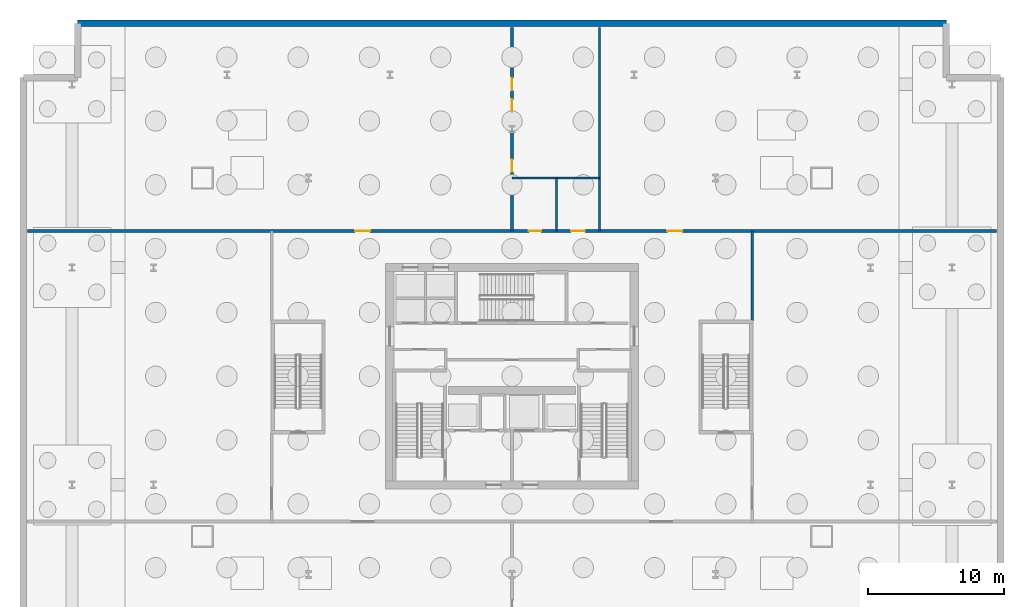
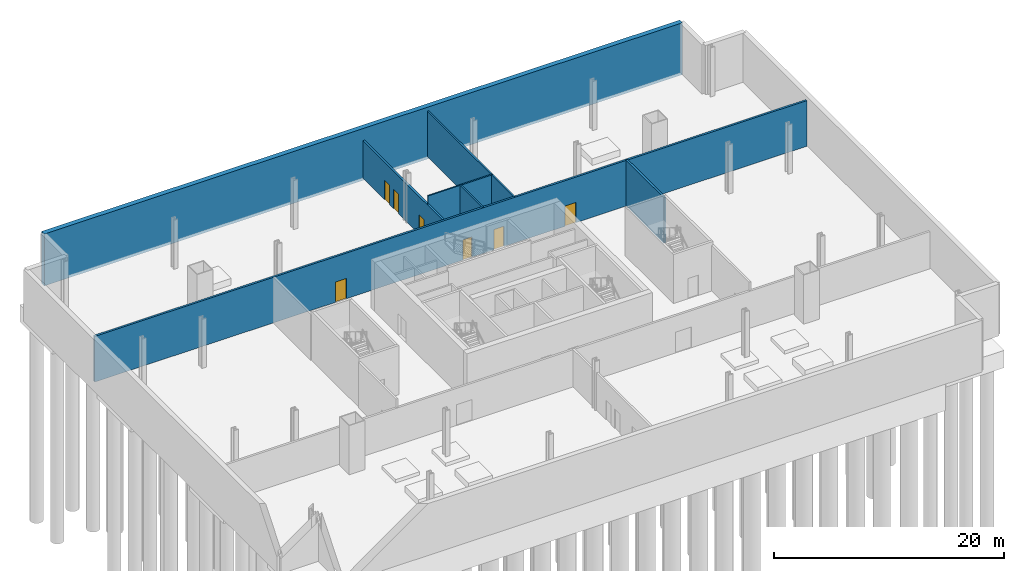
# One storey, part 5 of 8: 7 doors, 7 walls, 7 openings.
"""IFC4 building model written with IfcOpenShell, lengths in metres."""

import ifcopenshell
import ifcopenshell.guid

model = None  # the IFC model being written
_history = None  # IfcOwnerHistory: only IFC2X3 demands one
_inside = {}  # id of a spatial element -> (the spatial element, [elements in it])
_under = {}  # id of a project, library or spatial element -> (it, [spatial elements below it])
_declared = {}  # id of a project -> (the project, [libraries it declares])
_typed = {}  # id of a type object -> (the type object, [elements of that type])
_made_of = {}  # id of a material, layer set ... -> (it, [elements and type objects made of it])


def new_model(schema):
    """Start an empty IFC model of exactly this schema.

    Asked for "IFC4X3", IfcOpenShell would pick the latest addendum, in which some entities
    have other attributes; the version numbers below select the first issue.
    IFC2X3 requires an IfcOwnerHistory on every rooted entity: one is made here for all.
    """
    global model, _history
    if schema == "IFC4X3":
        model = ifcopenshell.file(schema_version=(4, 3, 0, 0))
    else:
        model = ifcopenshell.file(schema=schema)
    _inside.clear()
    _under.clear()
    _declared.clear()
    _typed.clear()
    _made_of.clear()
    _history = None
    if model.schema == "IFC2X3":
        org = make("IfcOrganization", Name="unknown")
        user = make(
            "IfcPersonAndOrganization",
            ThePerson=make("IfcPerson", FamilyName="unknown"),
            TheOrganization=org,
        )
        app = make(
            "IfcApplication",
            ApplicationDeveloper=org,
            Version="unknown",
            ApplicationFullName="unknown",
            ApplicationIdentifier="unknown",
        )
        _history = make(
            "IfcOwnerHistory",
            OwningUser=user,
            OwningApplication=app,
            ChangeAction="ADDED",
            CreationDate=0,
        )
    return model


def make(cls, **values):
    """One entity of the class cls with the attributes given. An attribute that is None is left unset."""
    return model.create_entity(
        cls, **{name: value for name, value in values.items() if value is not None}
    )


def rooted(cls, **values):
    """An entity with a GlobalId (a new one), such as an element, a storey or a relation."""
    return make(cls, GlobalId=ifcopenshell.guid.new(), OwnerHistory=_history, **values)


def si_unit(unit_type, name, prefix=None):
    """IfcSIUnit, for example si_unit("LENGTHUNIT", "METRE", prefix="MILLI")."""
    return make("IfcSIUnit", UnitType=unit_type, Prefix=prefix, Name=name)


def assignment(units):
    """IfcUnitAssignment: the units of a project."""
    return None if units is None else make("IfcUnitAssignment", Units=units)


def point(xyz):
    """IfcCartesianPoint."""
    return None if xyz is None else make("IfcCartesianPoint", Coordinates=xyz)


def direction(xyz):
    """IfcDirection."""
    return None if xyz is None else make("IfcDirection", DirectionRatios=xyz)


def frame(location, z_axis=None, x_axis=None):
    """IfcAxis2Placement3D, a coordinate frame: its origin and axes. An axis left out is left unset."""
    return make(
        "IfcAxis2Placement3D",
        Location=point(location),
        Axis=direction(z_axis),
        RefDirection=direction(x_axis),
    )


def frame_2d(location, x_axis=None):
    """IfcAxis2Placement2D, a coordinate frame in the plane: its origin and x axis."""
    return make(
        "IfcAxis2Placement2D", Location=point(location), RefDirection=direction(x_axis)
    )


def origin():
    """The frame at (0, 0, 0) with its axes left unset."""
    return frame((0.0, 0.0, 0.0))


def place(relative_to, where):
    """IfcLocalPlacement: puts the frame where relative to a parent placement (None: the world)."""
    return make(
        "IfcLocalPlacement", PlacementRelTo=relative_to, RelativePlacement=where
    )


def context(
    kind, dimensions, precision=None, world=None, true_north=None, identifier=None
):
    """IfcGeometricRepresentationContext, for example the 3D "Model" context."""
    return make(
        "IfcGeometricRepresentationContext",
        ContextIdentifier=identifier,
        ContextType=kind,
        CoordinateSpaceDimension=dimensions,
        Precision=precision,
        WorldCoordinateSystem=world,
        TrueNorth=true_north,
    )


def subcontext(parent, identifier, kind, view, scale=None):
    """IfcGeometricRepresentationSubContext, for example "Body" below "Model"."""
    return make(
        "IfcGeometricRepresentationSubContext",
        ContextIdentifier=identifier,
        ContextType=kind,
        ParentContext=parent,
        TargetScale=scale,
        TargetView=view,
    )


def project(units=None, contexts=None):
    """IfcProject with its units and contexts."""
    return rooted(
        "IfcProject",
        Name="project",
        RepresentationContexts=contexts,
        UnitsInContext=assignment(units),
    )


def spatial(cls, under=None, at=None, **own):
    """A site, building, storey or space (cls), placed at a placement, below another one or the project."""
    s = rooted(cls, ObjectPlacement=at, **own)
    if under is not None:
        _under.setdefault(under.id(), (under, []))[1].append(s)
    return s


def profile(cls, at=None, kind="AREA", **sizes):
    """A parametric profile (cls). Its sizes go by their IFC names, for example OverallWidth=200.0."""
    return make(cls, ProfileType=kind, Position=at, **sizes)


def rectangle(**sizes):
    """IfcRectangleProfileDef."""
    return profile("IfcRectangleProfileDef", **sizes)


def extrude(swept, where, along, depth):
    """IfcExtrudedAreaSolid: the profile swept, set in the frame where, extruded along a direction by depth."""
    return make(
        "IfcExtrudedAreaSolid",
        SweptArea=swept,
        Position=where,
        ExtrudedDirection=direction(along),
        Depth=depth,
    )


def shape(context_of_items, identifier, shape_type, items):
    """IfcShapeRepresentation: the items that make up one representation, for example the "Body"."""
    return make(
        "IfcShapeRepresentation",
        ContextOfItems=context_of_items,
        RepresentationIdentifier=identifier,
        RepresentationType=shape_type,
        Items=items,
    )


def material(Name=None, Category=None):
    """IfcMaterial."""
    return make("IfcMaterial", Name=Name, Category=Category)


def layer(
    of_material, thickness, ventilated=None, Name=None, Category=None, Priority=None
):
    """IfcMaterialLayer: one layer of a wall or slab, of a material (None: an air gap)."""
    return make(
        "IfcMaterialLayer",
        Material=of_material,
        LayerThickness=thickness,
        IsVentilated=ventilated,
        Name=Name,
        Category=Category,
        Priority=Priority,
    )


def layer_set(layers, Name=None):
    """IfcMaterialLayerSet."""
    return make("IfcMaterialLayerSet", MaterialLayers=layers, LayerSetName=Name)


def made_of(thing, what):
    """Note that an element or type object is made of a material, layer set ...; save() writes the relation."""
    if what is not None:
        _made_of.setdefault(what.id(), (what, []))[1].append(thing)
    return thing


def type_object(cls, material=None, **own):
    """A type object (cls), such as IfcWallType, which elements share."""
    return made_of(rooted(cls, **own), material)


def element(
    cls,
    number,
    at=None,
    inside=None,
    cuts=None,
    type_object=None,
    material=None,
    context=None,
    identifier="Body",
    shape_type=None,
    held_by="IfcProductDefinitionShape",
    body=None,
    shapes=None,
    **own,
):
    """One element of the class cls, such as IfcWall. Its Tag is "e" and its number.

    at: its placement. inside: the storey or other place that contains it. cuts: it is an
    opening in that element (IfcRelVoidsElement). A single representation is given by context,
    identifier, shape_type and body (its items); several are given by shapes. held_by: the class
    of the entity that holds the representations. save() writes the other relations.
    """
    e = rooted(cls, Tag="e%d" % number, ObjectPlacement=at, **own)
    if body is not None:
        shapes = [shape(context, identifier, shape_type, body)]
    if shapes is not None:
        e.Representation = make(held_by, Representations=shapes)
    if inside is not None:
        _inside.setdefault(inside.id(), (inside, []))[1].append(e)
    if cuts is not None:
        rooted(
            "IfcRelVoidsElement", RelatingBuildingElement=cuts, RelatedOpeningElement=e
        )
    if type_object is not None:
        _typed.setdefault(type_object.id(), (type_object, []))[1].append(e)
    return made_of(e, material)


def fill(opening, filler):
    """IfcRelFillsElement: the door or window that sits in an opening."""
    return rooted(
        "IfcRelFillsElement",
        RelatingOpeningElement=opening,
        RelatedBuildingElement=filler,
    )


def aggregate(whole, parts):
    """IfcRelAggregates: a whole, such as a stair, and the parts it consists of."""
    return rooted("IfcRelAggregates", RelatingObject=whole, RelatedObjects=parts)


def save(model, path):
    """Write the relations noted so far, then the file.

    IfcRelAggregates (storeys below a building ...), IfcRelContainedInSpatialStructure (elements
    in a storey), IfcRelDefinesByType, IfcRelAssociatesMaterial and IfcRelDeclares: one each for
    every whole, place, type object, material and project.
    """
    for whole, parts in _under.values():
        aggregate(whole, parts)
    for where, things in _inside.values():
        rooted(
            "IfcRelContainedInSpatialStructure",
            RelatedElements=things,
            RelatingStructure=where,
        )
    for kind, things in _typed.values():
        rooted("IfcRelDefinesByType", RelatedObjects=things, RelatingType=kind)
    for what, things in _made_of.values():
        rooted("IfcRelAssociatesMaterial", RelatedObjects=things, RelatingMaterial=what)
    for by, libraries in _declared.values():
        rooted("IfcRelDeclares", RelatingContext=by, RelatedDefinitions=libraries)
    model.write(path)


model = new_model("IFC4")

# Units and contexts
model_context = context("Model", 3, precision=1e-05, world=origin(), true_north=direction((0.0, 1.0)))
body_context = subcontext(model_context, "Body", "Model", "MODEL_VIEW")
ifc_project = project(units=[si_unit("LENGTHUNIT", "METRE"), si_unit("AREAUNIT", "SQUARE_METRE"), si_unit("VOLUMEUNIT", "CUBIC_METRE"), si_unit("PLANEANGLEUNIT", "RADIAN"), si_unit("MASSUNIT", "GRAM", prefix="KILO")], contexts=[model_context])

# Site, building, storey
site_placement = place(None, origin())
site = spatial("IfcSite", under=ifc_project, at=site_placement, CompositionType="ELEMENT")
building_placement = place(site_placement, origin())
building = spatial("IfcBuilding", under=site, at=building_placement, Name="Haldenkirk Collegiate Tower", CompositionType="ELEMENT")
storey_placement = place(building_placement, frame((0.0, 0.0, -5.199951171875)))
storey = spatial("IfcBuildingStorey", under=building, at=storey_placement, Name="B1", CompositionType="ELEMENT", Elevation=-5.199951171875)

# Walls
ifc_material_1 = material(Name="Concrete f'c 55 MPa", Category="concrete")
ifc_layer_1 = layer(ifc_material_1, 0.47998046875)
ifc_layer_set_1 = layer_set([ifc_layer_1], Name="Concrete f'c 55 MPa")
wall_type_1 = type_object("IfcWallType", Name="WL-B1-RET-480", PredefinedType="SHEAR", material=ifc_layer_set_1)
wall_1_placement = place(storey_placement, frame((68.0, 52.0, -0.300048828125), z_axis=(0.0, 0.0, 1.0), x_axis=(-1.0, 0.0, 0.0)))
element("IfcWall", 1, at=wall_1_placement, inside=storey, type_object=wall_type_1, Name="B1 perimeter retaining wall 07", PredefinedType="SHEAR", context=body_context, shape_type="SweptSolid", body=[
    extrude(rectangle(XDim=64.0, YDim=0.47998046875, at=frame_2d((32.0, 0.0))), origin(), (0.0, 0.0, 1.0), 5.5),
])
ifc_material_2 = material(Name="Acoustic fire-rated gypsum partition", Category="concrete")
ifc_layer_2 = layer(ifc_material_2, 0.159912109375)
ifc_layer_set_2 = layer_set([ifc_layer_2], Name="Acoustic fire-rated gypsum partition")
wall_type_2 = type_object("IfcWallType", Name="WL-INT-CORR-160", PredefinedType="PARTITIONING", material=ifc_layer_set_2)
wall_2_placement = place(storey_placement, frame((42.449951171875, 36.699951171875, 0.0), z_axis=(0.0, 0.0, 1.0), x_axis=(0.0, 1.0, 0.0)))
element("IfcWall", 2, at=wall_2_placement, inside=storey, type_object=wall_type_2, Name="B1 interior partition IW-B1-WC2", PredefinedType="PARTITIONING", context=body_context, shape_type="SweptSolid", body=[
    extrude(rectangle(XDim=15.0, YDim=0.159912109375, at=frame_2d((7.5, 0.0))), origin(), (0.0, 0.0, 1.0), 4.83984375),
])
ifc_layer_3 = layer(ifc_material_2, 0.139892578125)
ifc_layer_set_3 = layer_set([ifc_layer_3], Name="Acoustic fire-rated gypsum partition")
wall_type_3 = type_object("IfcWallType", Name="WL-INT-DIV-140", PredefinedType="PARTITIONING", material=ifc_layer_set_3)
wall_3_placement = place(storey_placement, frame((39.280029296875, 36.699951171875, 0.0), z_axis=(0.0, 0.0, 1.0), x_axis=(0.0, 1.0, 0.0)))
element("IfcWall", 3, at=wall_3_placement, inside=storey, type_object=wall_type_3, Name="B1 interior partition IW-B1-WC1", PredefinedType="PARTITIONING", context=body_context, shape_type="SweptSolid", body=[
    extrude(rectangle(XDim=3.900146484375, YDim=0.139892578125, at=frame_2d((1.9501953125, 0.0))), origin(), (0.0, 0.0, 1.0), 4.83984375),
])
wall_4_placement = place(storey_placement, frame((36.0, 40.60009765625, 0.0), z_axis=(0.0, 0.0, 1.0), x_axis=(1.0, 0.0, 0.0)))
element("IfcWall", 4, at=wall_4_placement, inside=storey, type_object=wall_type_3, Name="B1 interior partition IW-B1-WCN", PredefinedType="PARTITIONING", context=body_context, shape_type="SweptSolid", body=[
    extrude(rectangle(XDim=6.449951171875, YDim=0.139892578125, at=frame_2d((3.22509765625, 0.0))), origin(), (0.0, 0.0, 1.0), 4.83984375),
])

# Wall, openings, doors
ifc_material_3 = material(Name="Fire-rated gypsum shaftboard assembly", Category="concrete")
ifc_layer_4 = layer(ifc_material_3, 0.199951171875)
ifc_layer_set_4 = layer_set([ifc_layer_4], Name="Fire-rated gypsum shaftboard assembly")
wall_type_4 = type_object("IfcWallType", Name="WL-INT-SHAFT-200", PredefinedType="PARTITIONING", material=ifc_layer_set_4)
wall_5_placement = place(storey_placement, frame((0.300048828125, 36.699951171875, 0.0), z_axis=(0.0, 0.0, 1.0), x_axis=(1.0, 0.0, 0.0)))
wall_5 = element("IfcWall", 5, at=wall_5_placement, inside=storey, type_object=wall_type_4, Name="B1 interior partition IW-B1-CN", PredefinedType="PARTITIONING", context=body_context, shape_type="SweptSolid", body=[
    extrude(rectangle(XDim=71.39990234375, YDim=0.199951171875, at=frame_2d((35.699951171875, 0.0))), origin(), (0.0, 0.0, 1.0), 4.83984375),
])
opening_1_placement = place(wall_5_placement, frame((24.14990234375, 0.0, 0.0)))
opening_1 = element("IfcOpeningElement", 6, at=opening_1_placement, cuts=wall_5, Name="Opening D-02", PredefinedType="OPENING", context=body_context, shape_type="SweptSolid", body=[
    extrude(rectangle(XDim=1.10009765625, YDim=2.14990234375, at=frame_2d((0.550048828125, 1.074951171875))), frame((0.0, 0.10986328125, 0.0), z_axis=(0.0, -1.0, 0.0), x_axis=(1.0, 0.0, 0.0)), (0.0, 0.0, 1.0), 0.219970703125),
])
opening_2_placement = place(wall_5_placement, frame((36.949951171875, 0.0, 0.0)))
opening_2 = element("IfcOpeningElement", 7, at=opening_2_placement, cuts=wall_5, Name="Opening D-13", PredefinedType="OPENING", context=body_context, shape_type="SweptSolid", body=[
    extrude(rectangle(XDim=0.89990234375, YDim=2.14990234375, at=frame_2d((0.449951171875, 1.074951171875))), frame((0.0, 0.10986328125, 0.0), z_axis=(0.0, -1.0, 0.0), x_axis=(1.0, 0.0, 0.0)), (0.0, 0.0, 1.0), 0.219970703125),
])
opening_3_placement = place(wall_5_placement, frame((40.06005859375, 0.0, 0.0)))
opening_3 = element("IfcOpeningElement", 8, at=opening_3_placement, cuts=wall_5, Name="Opening D-14", PredefinedType="OPENING", context=body_context, shape_type="SweptSolid", body=[
    extrude(rectangle(XDim=1.0, YDim=2.14990234375, at=frame_2d((0.5, 1.074951171875))), frame((0.0, 0.10986328125, 0.0), z_axis=(0.0, -1.0, 0.0), x_axis=(1.0, 0.0, 0.0)), (0.0, 0.0, 1.0), 0.219970703125),
])
opening_4_placement = place(wall_5_placement, frame((47.14990234375, 0.0, 0.0)))
opening_4 = element("IfcOpeningElement", 9, at=opening_4_placement, cuts=wall_5, Name="Opening D-02", PredefinedType="OPENING", context=body_context, shape_type="SweptSolid", body=[
    extrude(rectangle(XDim=1.10009765625, YDim=2.14990234375, at=frame_2d((0.550048828125, 1.074951171875))), frame((0.0, 0.10986328125, 0.0), z_axis=(0.0, -1.0, 0.0), x_axis=(1.0, 0.0, 0.0)), (0.0, 0.0, 1.0), 0.219970703125),
])
ifc_material_4 = material(Name="Solid-core architectural oak fire door", Category="wood")
ifc_layer_5 = layer(ifc_material_4, 0.06005859375)
ifc_layer_set_5 = layer_set([ifc_layer_5], Name="Solid-core architectural oak fire door")
door_type_1 = type_object("IfcDoorType", Name="DR-INT-ACC-1000", OperationType="NOTDEFINED", PredefinedType="DOOR", material=ifc_layer_set_5)
door_1_placement = place(opening_3_placement, origin())
door_1 = element("IfcDoor", 10, at=door_1_placement, inside=storey, type_object=door_type_1, Name="B1 staff accessible WC door", OperationType="SINGLE_SWING_LEFT", OverallHeight=2.14990234375, OverallWidth=1.0, PredefinedType="DOOR", context=body_context, shape_type="SweptSolid", body=[
    extrude(rectangle(XDim=1.0, YDim=2.14990234375, at=frame_2d((0.5, 1.074951171875))), frame((0.0, 0.02490234375, 0.0), z_axis=(0.0, -1.0, 0.0), x_axis=(1.0, 0.0, 0.0)), (0.0, 0.0, 1.0), 0.050048828125),
])
fill(opening_3, door_1)
ifc_layer_6 = layer(ifc_material_4, 0.06005859375)
ifc_layer_set_6 = layer_set([ifc_layer_6], Name="Solid-core architectural oak fire door")
door_type_2 = type_object("IfcDoorType", Name="DR-INT-STD-900", OperationType="NOTDEFINED", PredefinedType="DOOR", material=ifc_layer_set_6)
door_2_placement = place(opening_2_placement, origin())
door_2 = element("IfcDoor", 11, at=door_2_placement, inside=storey, type_object=door_type_2, Name="B1 staff male WC door", OperationType="SINGLE_SWING_RIGHT", OverallHeight=2.14990234375, OverallWidth=0.89990234375, PredefinedType="DOOR", context=body_context, shape_type="SweptSolid", body=[
    extrude(rectangle(XDim=0.89990234375, YDim=2.14990234375, at=frame_2d((0.449951171875, 1.074951171875))), frame((0.0, 0.02490234375, 0.0), z_axis=(0.0, -1.0, 0.0), x_axis=(1.0, 0.0, 0.0)), (0.0, 0.0, 1.0), 0.050048828125),
])
fill(opening_2, door_2)
ifc_material_5 = material(Name="Galvanized fire-rated hollow steel door", Category="steel")
ifc_layer_7 = layer(ifc_material_5, 0.06005859375)
ifc_layer_set_7 = layer_set([ifc_layer_7], Name="Galvanized fire-rated hollow steel door")
door_type_3 = type_object("IfcDoorType", Name="DR-STAIR-FD90-1100", OperationType="NOTDEFINED", PredefinedType="DOOR", material=ifc_layer_set_7)
door_3_placement = place(opening_1_placement, origin())
door_3 = element("IfcDoor", 12, at=door_3_placement, inside=storey, type_object=door_type_3, Name="B1 fire pump door", OperationType="SINGLE_SWING_LEFT", OverallHeight=2.14990234375, OverallWidth=1.10009765625, PredefinedType="DOOR", context=body_context, shape_type="SweptSolid", body=[
    extrude(rectangle(XDim=1.10009765625, YDim=2.14990234375, at=frame_2d((0.550048828125, 1.074951171875))), frame((0.0, 0.02490234375, 0.0), z_axis=(0.0, -1.0, 0.0), x_axis=(1.0, 0.0, 0.0)), (0.0, 0.0, 1.0), 0.050048828125),
])
fill(opening_1, door_3)
door_4_placement = place(opening_4_placement, origin())
door_4 = element("IfcDoor", 13, at=door_4_placement, inside=storey, type_object=door_type_3, Name="B1 facilities store door", OperationType="SINGLE_SWING_RIGHT", OverallHeight=2.14990234375, OverallWidth=1.10009765625, PredefinedType="DOOR", context=body_context, shape_type="SweptSolid", body=[
    extrude(rectangle(XDim=1.10009765625, YDim=2.14990234375, at=frame_2d((0.550048828125, 1.074951171875))), frame((0.0, 0.02490234375, 0.0), z_axis=(0.0, -1.0, 0.0), x_axis=(1.0, 0.0, 0.0)), (0.0, 0.0, 1.0), 0.050048828125),
])
fill(opening_4, door_4)

# Wall
wall_6_placement = place(storey_placement, frame((53.699951171875, 30.080078125, 0.0), z_axis=(0.0, 0.0, 1.0), x_axis=(0.0, 1.0, 0.0)))
element("IfcWall", 14, at=wall_6_placement, inside=storey, type_object=wall_type_4, Name="B1 interior partition IW-B1-CEN", PredefinedType="PARTITIONING", context=body_context, shape_type="SweptSolid", body=[
    extrude(rectangle(XDim=6.619873046875, YDim=0.199951171875, at=frame_2d((3.31005859375, 0.0))), origin(), (0.0, 0.0, 1.0), 4.83984375),
])

# Wall, openings, doors
wall_7_placement = place(storey_placement, frame((36.0, 36.699951171875, 0.0), z_axis=(0.0, 0.0, 1.0), x_axis=(0.0, 1.0, 0.0)))
wall_7 = element("IfcWall", 15, at=wall_7_placement, inside=storey, type_object=wall_type_4, Name="B1 interior partition IW-B1-N1", PredefinedType="PARTITIONING", context=body_context, shape_type="SweptSolid", body=[
    extrude(rectangle(XDim=15.0, YDim=0.199951171875, at=frame_2d((7.5, 0.0))), origin(), (0.0, 0.0, 1.0), 3.972900390625),
])
opening_5_placement = place(wall_7_placement, frame((4.35009765625, 0.0, 0.0)))
opening_5 = element("IfcOpeningElement", 16, at=opening_5_placement, cuts=wall_7, Name="Opening D-15", PredefinedType="OPENING", context=body_context, shape_type="SweptSolid", body=[
    extrude(rectangle(XDim=0.89990234375, YDim=2.050048828125, at=frame_2d((0.449951171875, 1.02490234375))), frame((0.0, 0.10986328125, 0.0), z_axis=(0.0, -1.0, 0.0), x_axis=(1.0, 0.0, 0.0)), (0.0, 0.0, 1.0), 0.219970703125),
])
opening_6_placement = place(wall_7_placement, frame((8.800048828125, 0.0, 0.0)))
opening_6 = element("IfcOpeningElement", 17, at=opening_6_placement, cuts=wall_7, Name="Opening D-15", PredefinedType="OPENING", context=body_context, shape_type="SweptSolid", body=[
    extrude(rectangle(XDim=0.89990234375, YDim=2.050048828125, at=frame_2d((0.449951171875, 1.02490234375))), frame((0.0, 0.10986328125, 0.0), z_axis=(0.0, -1.0, 0.0), x_axis=(1.0, 0.0, 0.0)), (0.0, 0.0, 1.0), 0.219970703125),
])
opening_7_placement = place(wall_7_placement, frame((10.35009765625, 0.0, 0.0)))
opening_7 = element("IfcOpeningElement", 18, at=opening_7_placement, cuts=wall_7, Name="Opening D-15", PredefinedType="OPENING", context=body_context, shape_type="SweptSolid", body=[
    extrude(rectangle(XDim=0.89990234375, YDim=2.050048828125, at=frame_2d((0.449951171875, 1.02490234375))), frame((0.0, 0.10986328125, 0.0), z_axis=(0.0, -1.0, 0.0), x_axis=(1.0, 0.0, 0.0)), (0.0, 0.0, 1.0), 0.219970703125),
])
ifc_layer_8 = layer(ifc_material_5, 0.06005859375)
ifc_layer_set_8 = layer_set([ifc_layer_8], Name="Galvanized fire-rated hollow steel door")
door_type_4 = type_object("IfcDoorType", Name="DR-RISER-900", OperationType="NOTDEFINED", PredefinedType="DOOR", material=ifc_layer_set_8)
door_5_placement = place(opening_5_placement, origin())
door_5 = element("IfcDoor", 19, at=door_5_placement, inside=storey, type_object=door_type_4, Name="B1 service riser access fire door 4", OperationType="SINGLE_SWING_RIGHT", OverallHeight=2.050048828125, OverallWidth=0.89990234375, PredefinedType="DOOR", context=body_context, shape_type="SweptSolid", body=[
    extrude(rectangle(XDim=0.89990234375, YDim=2.050048828125, at=frame_2d((0.449951171875, 1.02490234375))), frame((0.0, 0.02490234375, 0.0), z_axis=(0.0, -1.0, 0.0), x_axis=(1.0, 0.0, 0.0)), (0.0, 0.0, 1.0), 0.050048828125),
])
fill(opening_5, door_5)
door_6_placement = place(opening_6_placement, origin())
door_6 = element("IfcDoor", 20, at=door_6_placement, inside=storey, type_object=door_type_4, Name="B1 service riser access fire door 5", OperationType="SINGLE_SWING_LEFT", OverallHeight=2.050048828125, OverallWidth=0.89990234375, PredefinedType="DOOR", context=body_context, shape_type="SweptSolid", body=[
    extrude(rectangle(XDim=0.89990234375, YDim=2.050048828125, at=frame_2d((0.449951171875, 1.02490234375))), frame((0.0, 0.02490234375, 0.0), z_axis=(0.0, -1.0, 0.0), x_axis=(1.0, 0.0, 0.0)), (0.0, 0.0, 1.0), 0.050048828125),
])
fill(opening_6, door_6)
door_7_placement = place(opening_7_placement, origin())
door_7 = element("IfcDoor", 21, at=door_7_placement, inside=storey, type_object=door_type_4, Name="B1 service riser access fire door 6", OperationType="SINGLE_SWING_RIGHT", OverallHeight=2.050048828125, OverallWidth=0.89990234375, PredefinedType="DOOR", context=body_context, shape_type="SweptSolid", body=[
    extrude(rectangle(XDim=0.89990234375, YDim=2.050048828125, at=frame_2d((0.449951171875, 1.02490234375))), frame((0.0, 0.02490234375, 0.0), z_axis=(0.0, -1.0, 0.0), x_axis=(1.0, 0.0, 0.0)), (0.0, 0.0, 1.0), 0.050048828125),
])
fill(opening_7, door_7)

save(model, "model.ifc")
